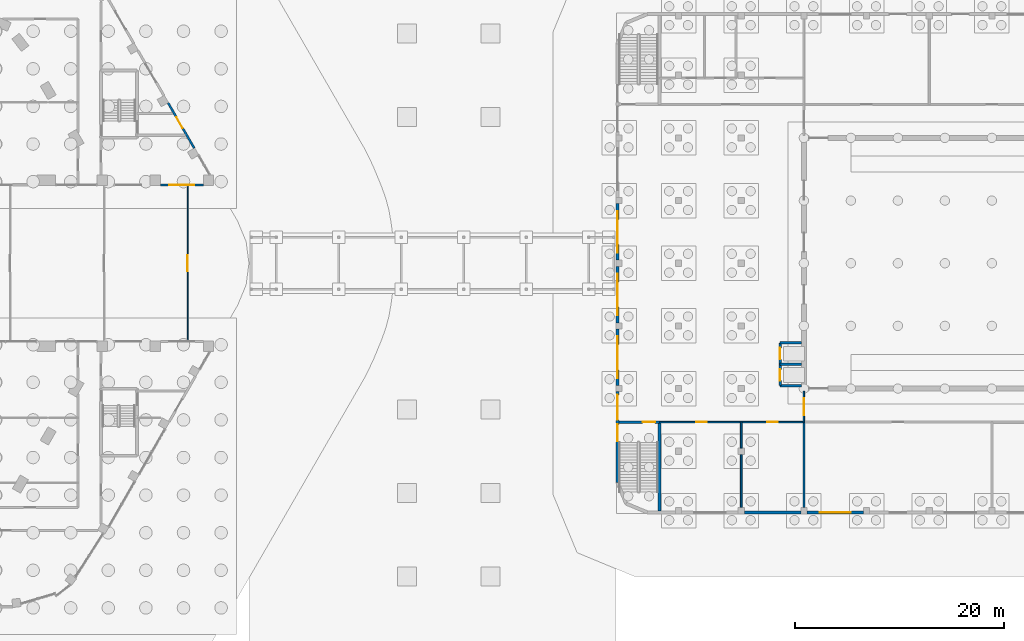
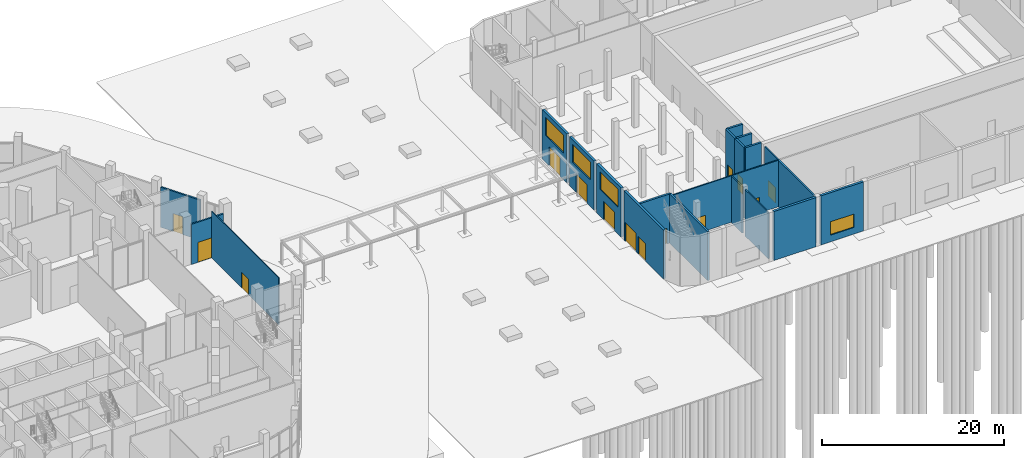
# One storey, part 31 of 44: 22 walls, 14 doors, 4 windows, 18 openings.
"""IFC4 building model written with IfcOpenShell, lengths in metres."""

from ifc_helpers import new_model, si_unit, direction, frame, frame_2d, origin, place, context, subcontext, project, spatial, rectangle, extrude, material, layer, layer_set, type_object, element, fill, save


model = new_model("IFC4")

# Units and contexts
model_context = context("Model", 3, precision=1e-05, world=origin(), true_north=direction((0.0, 1.0)))
body_context = subcontext(model_context, "Body", "Model", "MODEL_VIEW")
ifc_project = project(units=[si_unit("LENGTHUNIT", "METRE"), si_unit("AREAUNIT", "SQUARE_METRE"), si_unit("VOLUMEUNIT", "CUBIC_METRE"), si_unit("PLANEANGLEUNIT", "RADIAN"), si_unit("MASSUNIT", "GRAM", prefix="KILO")], contexts=[model_context])

# Site, building, storey
site_placement = place(None, origin())
site = spatial("IfcSite", under=ifc_project, at=site_placement, CompositionType="ELEMENT")
building_placement = place(site_placement, origin())
building = spatial("IfcBuilding", under=site, at=building_placement, Name="Nakaniwa Court", CompositionType="ELEMENT")
storey_placement = place(building_placement, origin())
storey = spatial("IfcBuildingStorey", under=building, at=storey_placement, Name="L00", CompositionType="ELEMENT", Elevation=0.0)

# Wall
ifc_material_1 = material(Name="Double steel stud acoustic partition with mineral wool", Category="steel")
ifc_layer_1 = layer(ifc_material_1, 0.199951171875)
ifc_layer_set_1 = layer_set([ifc_layer_1], Name="Double steel stud acoustic partition with mineral wool")
wall_type_1 = type_object("IfcWallType", Name="Acoustic partition 200", PredefinedType="PARTITIONING", material=ifc_layer_set_1)
wall_1_placement = place(storey_placement, frame((170.0, 64.784912109375, 0.0), z_axis=(0.0, 0.0, 1.0), x_axis=(0.0, -1.0, 0.0)))
element("IfcWall", 1, at=wall_1_placement, inside=storey, type_object=wall_type_1, Name="L00 partition wall 22", PredefinedType="PARTITIONING", context=body_context, shape_type="SweptSolid", body=[
    extrude(rectangle(XDim=8.184814453125, YDim=0.199951171875, at=frame_2d((4.09228515625, 0.0))), origin(), (0.0, 0.0, 1.0), 6.25),
])

# Wall, opening, door
ifc_material_2 = material(Name="Charcoal ceramic cladding")
ifc_layer_2 = layer(ifc_material_2, 0.02, Name="Ceramic cladding")
ifc_material_3 = material(Name="Ventilated air cavity")
ifc_layer_3 = layer(ifc_material_3, 0.04, ventilated=True, Name="Ventilated cavity")
ifc_material_4 = material(Name="Mineral wool insulation")
ifc_layer_4 = layer(ifc_material_4, 0.05, Name="Insulation")
ifc_material_5 = material(Name="Cement bonded sheathing board")
ifc_layer_5 = layer(ifc_material_5, 0.012, Name="Sheathing")
ifc_material_6 = material(Name="Cold-formed galvanised stud frame with mineral wool infill")
ifc_layer_6 = layer(ifc_material_6, 0.05, Name="Stud frame")
ifc_material_7 = material(Name="Fire-rated gypsum plasterboard lining")
ifc_layer_7 = layer(ifc_material_7, 0.028, Name="Lining")
ifc_layer_set_2 = layer_set([ifc_layer_2, ifc_layer_3, ifc_layer_4, ifc_layer_5, ifc_layer_6, ifc_layer_7], Name="Charcoal ceramic faced external wall system")
wall_type_2 = type_object("IfcWallType", Name="Black ceramic faced external wall 200", PredefinedType="SOLIDWALL", material=ifc_layer_set_2)
wall_2_placement = place(storey_placement, frame((108.405029296875, 87.5, 0.0), z_axis=(0.0, 0.0, 1.0), x_axis=(1.0, 0.0, 0.0)))
wall_2 = element("IfcWall", 2, at=wall_2_placement, inside=storey, type_object=wall_type_2, Name="L00 entrance wall 38", PredefinedType="SOLIDWALL", context=body_context, shape_type="SweptSolid", body=[
    extrude(rectangle(XDim=4.094970703125, YDim=0.199951171875, at=frame_2d((2.04736328125, 0.0))), origin(), (0.0, 0.0, 1.0), 5.39990234375),
])
opening_1_placement = place(wall_2_placement, frame((0.847412109375, 0.0, 0.0)))
opening_1 = element("IfcOpeningElement", 3, at=opening_1_placement, cuts=wall_2, Name="Opening XD2.19", PredefinedType="OPENING", context=body_context, shape_type="SweptSolid", body=[
    extrude(rectangle(XDim=2.39990234375, YDim=2.699951171875, at=frame_2d((1.199951171875, 1.35009765625))), frame((0.0, 0.10986328125, 0.0), z_axis=(0.0, -1.0, 0.0), x_axis=(1.0, 0.0, 0.0)), (0.0, 0.0, 1.0), 0.219970703125),
])
ifc_material_8 = material(Name="Black powder-coated aluminium frame with dark laminated glass", Category="aluminium")
door_type_1 = type_object("IfcDoorType", Name="Residents entrance double door 2400x2700", OperationType="DOUBLE_DOOR_DOUBLE_SWING", PredefinedType="DOOR", material=ifc_material_8)
door_1_placement = place(opening_1_placement, origin())
door_1 = element("IfcDoor", 4, at=door_1_placement, inside=storey, type_object=door_type_1, Name="L00 residents entrance double door 38-0", OperationType="DOUBLE_DOOR_DOUBLE_SWING", OverallHeight=2.699951171875, OverallWidth=2.39990234375, PredefinedType="DOOR", context=body_context, shape_type="SweptSolid", body=[
    extrude(rectangle(XDim=2.39990234375, YDim=2.699951171875, at=frame_2d((1.199951171875, 1.35009765625))), frame((0.0, 0.02490234375, 0.0), z_axis=(0.0, -1.0, 0.0), x_axis=(1.0, 0.0, 0.0)), (0.0, 0.0, 1.0), 0.050048828125),
])
fill(opening_1, door_1)

wall_3_placement = place(storey_placement, frame((111.628173828125, 91.018310546875, 0.0), z_axis=(0.0, 0.0, 1.0), x_axis=(-0.499990997566, 0.86603060128, 0.0)))
wall_3 = element("IfcWall", 5, at=wall_3_placement, inside=storey, type_object=wall_type_2, Name="L00 entrance wall 40", PredefinedType="SOLIDWALL", context=body_context, shape_type="SweptSolid", body=[
    extrude(rectangle(XDim=5.01025390625, YDim=0.199951171875, at=frame_2d((2.505126953125, 0.0))), origin(), (0.0, 0.0, 1.0), 5.39990234375),
])
opening_2_placement = place(wall_3_placement, frame((2.2080078125, 0.0, 0.0)))
opening_2 = element("IfcOpeningElement", 6, at=opening_2_placement, cuts=wall_3, Name="Opening XD1.20", PredefinedType="OPENING", context=body_context, shape_type="SweptSolid", body=[
    extrude(rectangle(XDim=1.199951171875, YDim=2.39990234375, at=frame_2d((0.60009765625, 1.199951171875))), frame((0.0, 0.10986328125, 0.0), z_axis=(0.0, -1.0, 0.0), x_axis=(1.0, 0.0, 0.0)), (0.0, 0.0, 1.0), 0.219970703125),
])
door_type_2 = type_object("IfcDoorType", Name="Stair exit door 1200x2400", OperationType="SINGLE_SWING_LEFT", PredefinedType="DOOR", material=ifc_material_8)
door_2_placement = place(opening_2_placement, frame((1.199951171875, 0.0, 0.0), z_axis=(0.0, 0.0, 1.0), x_axis=(-1.0, 0.0, 0.0)))
door_2 = element("IfcDoor", 7, at=door_2_placement, inside=storey, type_object=door_type_2, Name="L00 stair exit door 40-0", OperationType="SINGLE_SWING_LEFT", OverallHeight=2.39990234375, OverallWidth=1.199951171875, PredefinedType="DOOR", context=body_context, shape_type="SweptSolid", body=[
    extrude(rectangle(XDim=1.199951171875, YDim=2.39990234375, at=frame_2d((0.60009765625, 1.199951171875))), frame((0.0, 0.02490234375, 0.0), z_axis=(0.0, -1.0, 0.0), x_axis=(1.0, 0.0, 0.0)), (0.0, 0.0, 1.0), 0.050048828125),
])
fill(opening_2, door_2)

# Wall, openings, doors
ifc_material_9 = material(Name="Concrete C50/60", Category="concrete")
ifc_layer_8 = layer(ifc_material_9, 0.300048828125)
ifc_layer_set_3 = layer_set([ifc_layer_8], Name="Concrete C50/60")
wall_type_3 = type_object("IfcWallType", Name="Fair faced concrete wall 300", PredefinedType="SOLIDWALL", material=ifc_layer_set_3)
wall_4_placement = place(storey_placement, frame((152.14990234375, 59.0, 0.0), z_axis=(0.0, 0.0, 1.0), x_axis=(0.0, 1.0, 0.0)))
wall_4 = element("IfcWall", 8, at=wall_4_placement, inside=storey, type_object=wall_type_3, Name="Facade wall L00 3", PredefinedType="SOLIDWALL", context=body_context, shape_type="SweptSolid", body=[
    extrude(rectangle(XDim=8.699951171875, YDim=0.300048828125, at=frame_2d((4.35009765625, 0.0))), origin(), (0.0, 0.0, 1.0), 6.60009765625),
])
opening_3_placement = place(wall_4_placement, frame((3.9599609375, 0.0, 0.0)))
opening_3 = element("IfcOpeningElement", 9, at=opening_3_placement, cuts=wall_4, Name="Opening HD-01", PredefinedType="OPENING", context=body_context, shape_type="SweptSolid", body=[
    extrude(rectangle(XDim=1.60009765625, YDim=2.39990234375, at=frame_2d((0.800048828125, 1.199951171875))), frame((0.0, 0.159912109375, 0.0), z_axis=(0.0, -1.0, 0.0), x_axis=(1.0, 0.0, 0.0)), (0.0, 0.0, 1.0), 0.320068359375),
])
opening_4_placement = place(wall_4_placement, frame((6.0, 0.0, 0.0)))
opening_4 = element("IfcOpeningElement", 10, at=opening_4_placement, cuts=wall_4, Name="Opening HD-02", PredefinedType="OPENING", context=body_context, shape_type="SweptSolid", body=[
    extrude(rectangle(XDim=2.39990234375, YDim=2.5, at=frame_2d((1.199951171875, 1.25))), frame((0.0, 0.159912109375, 0.0), z_axis=(0.0, -1.0, 0.0), x_axis=(1.0, 0.0, 0.0)), (0.0, 0.0, 1.0), 0.320068359375),
])
ifc_material_10 = material(Name="Black powder-coated aluminium frame with dark glass", Category="aluminium")
door_type_3 = type_object("IfcDoorType", Name="Hall entrance double door 2400x2500", OperationType="DOUBLE_DOOR_SINGLE_SWING", PredefinedType="DOOR", material=ifc_material_10)
door_3_placement = place(opening_4_placement, origin())
door_3 = element("IfcDoor", 11, at=door_3_placement, inside=storey, type_object=door_type_3, Name="Foyer entrance doors 1", OperationType="SINGLE_SWING_LEFT", OverallHeight=2.5, OverallWidth=2.39990234375, PredefinedType="DOOR", context=body_context, shape_type="SweptSolid", body=[
    extrude(rectangle(XDim=2.39990234375, YDim=2.5, at=frame_2d((1.199951171875, 1.25))), frame((0.0, 0.02490234375, 0.0), z_axis=(0.0, -1.0, 0.0), x_axis=(1.0, 0.0, 0.0)), (0.0, 0.0, 1.0), 0.050048828125),
])
fill(opening_4, door_3)
ifc_material_11 = material(Name="Insulated steel door leaf in steel frame", Category="steel")
door_type_4 = type_object("IfcDoorType", Name="Hall exit double door 1600x2400", OperationType="DOUBLE_DOOR_SINGLE_SWING", PredefinedType="DOOR", material=ifc_material_11)
door_4_placement = place(opening_3_placement, origin())
door_4 = element("IfcDoor", 12, at=door_4_placement, inside=storey, type_object=door_type_4, Name="Exit door ST-H1", OperationType="SINGLE_SWING_LEFT", OverallHeight=2.39990234375, OverallWidth=1.60009765625, PredefinedType="DOOR", context=body_context, shape_type="SweptSolid", body=[
    extrude(rectangle(XDim=1.60009765625, YDim=2.39990234375, at=frame_2d((0.800048828125, 1.199951171875))), frame((0.0, 0.02490234375, 0.0), z_axis=(0.0, -1.0, 0.0), x_axis=(1.0, 0.0, 0.0)), (0.0, 0.0, 1.0), 0.050048828125),
])
fill(opening_3, door_4)

# Wall, openings, door, window
wall_5_placement = place(storey_placement, frame((152.14990234375, 68.300048828125, 0.0), z_axis=(0.0, 0.0, 1.0), x_axis=(0.0, 1.0, 0.0)))
wall_5 = element("IfcWall", 13, at=wall_5_placement, inside=storey, type_object=wall_type_3, Name="Facade wall L00 4", PredefinedType="SOLIDWALL", context=body_context, shape_type="SweptSolid", body=[
    extrude(rectangle(XDim=5.39990234375, YDim=0.300048828125, at=frame_2d((2.699951171875, 0.0))), origin(), (0.0, 0.0, 1.0), 6.60009765625),
])
opening_5_placement = place(wall_5_placement, frame((1.5, 0.0, 0.0)))
opening_5 = element("IfcOpeningElement", 14, at=opening_5_placement, cuts=wall_5, Name="Opening HD-03", PredefinedType="OPENING", context=body_context, shape_type="SweptSolid", body=[
    extrude(rectangle(XDim=2.39990234375, YDim=2.5, at=frame_2d((1.199951171875, 1.25))), frame((0.0, 0.159912109375, 0.0), z_axis=(0.0, -1.0, 0.0), x_axis=(1.0, 0.0, 0.0)), (0.0, 0.0, 1.0), 0.320068359375),
])
opening_6_placement = place(wall_5_placement, frame((0.699951171875, 0.0, 3.60009765625)))
opening_6 = element("IfcOpeningElement", 15, at=opening_6_placement, cuts=wall_5, Name="Opening HWN-07", PredefinedType="OPENING", context=body_context, shape_type="SweptSolid", body=[
    extrude(rectangle(XDim=4.0, YDim=2.39990234375, at=frame_2d((2.0, 1.199951171875))), frame((0.0, 0.159912109375, 0.0), z_axis=(0.0, -1.0, 0.0), x_axis=(1.0, 0.0, 0.0)), (0.0, 0.0, 1.0), 0.320068359375),
])
door_5_placement = place(opening_5_placement, origin())
door_5 = element("IfcDoor", 16, at=door_5_placement, inside=storey, type_object=door_type_3, Name="Foyer entrance doors 003", OperationType="SINGLE_SWING_LEFT", OverallHeight=2.5, OverallWidth=2.39990234375, PredefinedType="DOOR", context=body_context, shape_type="SweptSolid", body=[
    extrude(rectangle(XDim=2.39990234375, YDim=2.5, at=frame_2d((1.199951171875, 1.25))), frame((0.0, 0.02490234375, 0.0), z_axis=(0.0, -1.0, 0.0), x_axis=(1.0, 0.0, 0.0)), (0.0, 0.0, 1.0), 0.050048828125),
])
fill(opening_5, door_5)
window_type_1 = type_object("IfcWindowType", Name="Hall foyer high light 4000x2400", PartitioningType="DOUBLE_PANEL_VERTICAL", PredefinedType="WINDOW", material=ifc_material_10)
window_1_placement = place(opening_6_placement, origin())
window_1 = element("IfcWindow", 17, at=window_1_placement, inside=storey, type_object=window_type_1, Name="Foyer high light 003", OverallHeight=2.39990234375, OverallWidth=4.0, PartitioningType="SINGLE_PANEL", PredefinedType="WINDOW", context=body_context, shape_type="SweptSolid", body=[
    extrude(rectangle(XDim=4.0, YDim=2.39990234375, at=frame_2d((2.0, 1.199951171875))), frame((0.0, 0.030029296875, 0.0), z_axis=(0.0, -1.0, 0.0), x_axis=(1.0, 0.0, 0.0)), (0.0, 0.0, 1.0), 0.06005859375),
])
fill(opening_6, window_1)

wall_6_placement = place(storey_placement, frame((152.14990234375, 74.300048828125, 0.0), z_axis=(0.0, 0.0, 1.0), x_axis=(0.0, 1.0, 0.0)))
wall_6 = element("IfcWall", 18, at=wall_6_placement, inside=storey, type_object=wall_type_3, Name="Facade wall L00 5", PredefinedType="SOLIDWALL", context=body_context, shape_type="SweptSolid", body=[
    extrude(rectangle(XDim=5.39990234375, YDim=0.300048828125, at=frame_2d((2.699951171875, 0.0))), origin(), (0.0, 0.0, 1.0), 6.60009765625),
])
opening_7_placement = place(wall_6_placement, frame((1.5, 0.0, 0.0)))
opening_7 = element("IfcOpeningElement", 19, at=opening_7_placement, cuts=wall_6, Name="Opening HD-04", PredefinedType="OPENING", context=body_context, shape_type="SweptSolid", body=[
    extrude(rectangle(XDim=2.39990234375, YDim=2.5, at=frame_2d((1.199951171875, 1.25))), frame((0.0, 0.159912109375, 0.0), z_axis=(0.0, -1.0, 0.0), x_axis=(1.0, 0.0, 0.0)), (0.0, 0.0, 1.0), 0.320068359375),
])
opening_8_placement = place(wall_6_placement, frame((0.699951171875, 0.0, 3.60009765625)))
opening_8 = element("IfcOpeningElement", 20, at=opening_8_placement, cuts=wall_6, Name="Opening HWN-08", PredefinedType="OPENING", context=body_context, shape_type="SweptSolid", body=[
    extrude(rectangle(XDim=4.0, YDim=2.39990234375, at=frame_2d((2.0, 1.199951171875))), frame((0.0, 0.159912109375, 0.0), z_axis=(0.0, -1.0, 0.0), x_axis=(1.0, 0.0, 0.0)), (0.0, 0.0, 1.0), 0.320068359375),
])
door_6_placement = place(opening_7_placement, origin())
door_6 = element("IfcDoor", 21, at=door_6_placement, inside=storey, type_object=door_type_3, Name="Foyer entrance doors 004", OperationType="SINGLE_SWING_LEFT", OverallHeight=2.5, OverallWidth=2.39990234375, PredefinedType="DOOR", context=body_context, shape_type="SweptSolid", body=[
    extrude(rectangle(XDim=2.39990234375, YDim=2.5, at=frame_2d((1.199951171875, 1.25))), frame((0.0, 0.02490234375, 0.0), z_axis=(0.0, -1.0, 0.0), x_axis=(1.0, 0.0, 0.0)), (0.0, 0.0, 1.0), 0.050048828125),
])
fill(opening_7, door_6)
window_2_placement = place(opening_8_placement, origin())
window_2 = element("IfcWindow", 22, at=window_2_placement, inside=storey, type_object=window_type_1, Name="Foyer high light 004", OverallHeight=2.39990234375, OverallWidth=4.0, PartitioningType="SINGLE_PANEL", PredefinedType="WINDOW", context=body_context, shape_type="SweptSolid", body=[
    extrude(rectangle(XDim=4.0, YDim=2.39990234375, at=frame_2d((2.0, 1.199951171875))), frame((0.0, 0.030029296875, 0.0), z_axis=(0.0, -1.0, 0.0), x_axis=(1.0, 0.0, 0.0)), (0.0, 0.0, 1.0), 0.06005859375),
])
fill(opening_8, window_2)

wall_7_placement = place(storey_placement, frame((152.14990234375, 80.300048828125, 0.0), z_axis=(0.0, 0.0, 1.0), x_axis=(0.0, 1.0, 0.0)))
wall_7 = element("IfcWall", 23, at=wall_7_placement, inside=storey, type_object=wall_type_3, Name="Facade wall L00 6", PredefinedType="SOLIDWALL", context=body_context, shape_type="SweptSolid", body=[
    extrude(rectangle(XDim=5.39990234375, YDim=0.300048828125, at=frame_2d((2.699951171875, 0.0))), origin(), (0.0, 0.0, 1.0), 6.60009765625),
])
opening_9_placement = place(wall_7_placement, frame((1.5, 0.0, 0.0)))
opening_9 = element("IfcOpeningElement", 24, at=opening_9_placement, cuts=wall_7, Name="Opening HD-05", PredefinedType="OPENING", context=body_context, shape_type="SweptSolid", body=[
    extrude(rectangle(XDim=2.39990234375, YDim=2.5, at=frame_2d((1.199951171875, 1.25))), frame((0.0, 0.159912109375, 0.0), z_axis=(0.0, -1.0, 0.0), x_axis=(1.0, 0.0, 0.0)), (0.0, 0.0, 1.0), 0.320068359375),
])
opening_10_placement = place(wall_7_placement, frame((0.699951171875, 0.0, 3.60009765625)))
opening_10 = element("IfcOpeningElement", 25, at=opening_10_placement, cuts=wall_7, Name="Opening HWN-09", PredefinedType="OPENING", context=body_context, shape_type="SweptSolid", body=[
    extrude(rectangle(XDim=4.0, YDim=2.39990234375, at=frame_2d((2.0, 1.199951171875))), frame((0.0, 0.159912109375, 0.0), z_axis=(0.0, -1.0, 0.0), x_axis=(1.0, 0.0, 0.0)), (0.0, 0.0, 1.0), 0.320068359375),
])
door_7_placement = place(opening_9_placement, origin())
door_7 = element("IfcDoor", 26, at=door_7_placement, inside=storey, type_object=door_type_3, Name="Foyer entrance doors 005", OperationType="SINGLE_SWING_LEFT", OverallHeight=2.5, OverallWidth=2.39990234375, PredefinedType="DOOR", context=body_context, shape_type="SweptSolid", body=[
    extrude(rectangle(XDim=2.39990234375, YDim=2.5, at=frame_2d((1.199951171875, 1.25))), frame((0.0, 0.02490234375, 0.0), z_axis=(0.0, -1.0, 0.0), x_axis=(1.0, 0.0, 0.0)), (0.0, 0.0, 1.0), 0.050048828125),
])
fill(opening_9, door_7)
window_3_placement = place(opening_10_placement, origin())
window_3 = element("IfcWindow", 27, at=window_3_placement, inside=storey, type_object=window_type_1, Name="Foyer high light 005", OverallHeight=2.39990234375, OverallWidth=4.0, PartitioningType="SINGLE_PANEL", PredefinedType="WINDOW", context=body_context, shape_type="SweptSolid", body=[
    extrude(rectangle(XDim=4.0, YDim=2.39990234375, at=frame_2d((2.0, 1.199951171875))), frame((0.0, 0.030029296875, 0.0), z_axis=(0.0, -1.0, 0.0), x_axis=(1.0, 0.0, 0.0)), (0.0, 0.0, 1.0), 0.06005859375),
])
fill(opening_10, window_3)

# Wall, opening, window
wall_8_placement = place(storey_placement, frame((175.699951171875, 56.14990234375, 0.0), z_axis=(0.0, 0.0, 1.0), x_axis=(-1.0, 0.0, 0.0)))
wall_8 = element("IfcWall", 28, at=wall_8_placement, inside=storey, type_object=wall_type_3, Name="Facade wall L00 39", PredefinedType="SOLIDWALL", context=body_context, shape_type="SweptSolid", body=[
    extrude(rectangle(XDim=5.39990234375, YDim=0.300048828125, at=frame_2d((2.699951171875, 0.0))), origin(), (0.0, 0.0, 1.0), 6.60009765625),
])
opening_11_placement = place(wall_8_placement, frame((1.199951171875, 0.0, 0.89990234375)))
opening_11 = element("IfcOpeningElement", 29, at=opening_11_placement, cuts=wall_8, Name="Opening HWN-16", PredefinedType="OPENING", context=body_context, shape_type="SweptSolid", body=[
    extrude(rectangle(XDim=3.0, YDim=1.800048828125, at=frame_2d((1.5, 0.89990234375))), frame((0.0, 0.159912109375, 0.0), z_axis=(0.0, -1.0, 0.0), x_axis=(1.0, 0.0, 0.0)), (0.0, 0.0, 1.0), 0.320068359375),
])
window_type_2 = type_object("IfcWindowType", Name="Hall window 3000x1800", PartitioningType="SINGLE_PANEL", PredefinedType="WINDOW", material=ifc_material_10)
window_4_placement = place(opening_11_placement, origin())
window_4 = element("IfcWindow", 30, at=window_4_placement, inside=storey, type_object=window_type_2, Name="Window L00:038", OverallHeight=1.800048828125, OverallWidth=3.0, PartitioningType="SINGLE_PANEL", PredefinedType="WINDOW", context=body_context, shape_type="SweptSolid", body=[
    extrude(rectangle(XDim=3.0, YDim=1.800048828125, at=frame_2d((1.5, 0.89990234375))), frame((0.0, 0.030029296875, 0.0), z_axis=(0.0, -1.0, 0.0), x_axis=(1.0, 0.0, 0.0)), (0.0, 0.0, 1.0), 0.06005859375),
])
fill(opening_11, window_4)

# Wall
wall_9_placement = place(storey_placement, frame((169.699951171875, 56.14990234375, 0.0), z_axis=(0.0, 0.0, 1.0), x_axis=(-1.0, 0.0, 0.0)))
element("IfcWall", 31, at=wall_9_placement, inside=storey, type_object=wall_type_3, Name="Facade wall L00 40", PredefinedType="SOLIDWALL", context=body_context, shape_type="SweptSolid", body=[
    extrude(rectangle(XDim=5.39990234375, YDim=0.300048828125, at=frame_2d((2.699951171875, 0.0))), origin(), (0.0, 0.0, 1.0), 6.60009765625),
])

# Wall, opening, door
ifc_material_12 = material(Name="Concrete C40/50", Category="concrete")
ifc_layer_9 = layer(ifc_material_12, 0.25)
ifc_layer_set_4 = layer_set([ifc_layer_9], Name="Concrete C40/50")
wall_type_4 = type_object("IfcWallType", Name="Fire isolated shaft wall RC 250", PredefinedType="SOLIDWALL", material=ifc_layer_set_4)
wall_10_placement = place(storey_placement, frame((156.175048828125, 64.784912109375, 0.0), z_axis=(0.0, 0.0, 1.0), x_axis=(-1.0, 0.0, 0.0)))
wall_10 = element("IfcWall", 32, at=wall_10_placement, inside=storey, type_object=wall_type_4, Name="L00 shaft wall 1", PredefinedType="SOLIDWALL", context=body_context, shape_type="SweptSolid", body=[
    extrude(rectangle(XDim=3.875, YDim=0.25, at=frame_2d((1.9375, 0.0))), origin(), (0.0, 0.0, 1.0), 6.60009765625),
])
opening_12_placement = place(wall_10_placement, frame((0.425048828125, 0.0, 0.0)))
opening_12 = element("IfcOpeningElement", 33, at=opening_12_placement, cuts=wall_10, Name="Opening HD-17", PredefinedType="OPENING", context=body_context, shape_type="SweptSolid", body=[
    extrude(rectangle(XDim=1.199951171875, YDim=2.10009765625, at=frame_2d((0.60009765625, 1.050048828125))), frame((0.0, 0.135009765625, 0.0), z_axis=(0.0, -1.0, 0.0), x_axis=(1.0, 0.0, 0.0)), (0.0, 0.0, 1.0), 0.27001953125),
])
door_type_5 = type_object("IfcDoorType", Name="Hall stair door 1200x2100", OperationType="SINGLE_SWING_LEFT", PredefinedType="DOOR", material=ifc_material_11)
door_8_placement = place(opening_12_placement, origin())
door_8 = element("IfcDoor", 34, at=door_8_placement, inside=storey, type_object=door_type_5, Name="L00 door Exit-stair-H1", OperationType="SINGLE_SWING_LEFT", OverallHeight=2.10009765625, OverallWidth=1.199951171875, PredefinedType="DOOR", context=body_context, shape_type="SweptSolid", body=[
    extrude(rectangle(XDim=1.199951171875, YDim=2.10009765625, at=frame_2d((0.60009765625, 1.050048828125))), frame((0.0, 0.02490234375, 0.0), z_axis=(0.0, -1.0, 0.0), x_axis=(1.0, 0.0, 0.0)), (0.0, 0.0, 1.0), 0.050048828125),
])
fill(opening_12, door_8)

# Walls
wall_11_placement = place(storey_placement, frame((156.175048828125, 64.784912109375, 0.0), z_axis=(0.0, 0.0, 1.0), x_axis=(0.0, -1.0, 0.0)))
element("IfcWall", 35, at=wall_11_placement, inside=storey, type_object=wall_type_4, Name="L00 shaft wall 3", PredefinedType="SOLIDWALL", context=body_context, shape_type="SweptSolid", body=[
    extrude(rectangle(XDim=8.48486328125, YDim=0.25, at=frame_2d((4.242431640625, 0.0))), origin(), (0.0, 0.0, 1.0), 6.60009765625),
])
for number, where, z_axis, x_axis, name in (
    (36, (167.72509765625, 70.324951171875, 0.0), (0.0, 0.0, 1.0), (1.0, 0.0, 0.0), "L00 shaft wall 17"),
    (37, (169.75, 72.375, 0.0), (0.0, 0.0, 1.0), (-1.0, 0.0, 0.0), "L00 shaft wall 18"),
):
    element("IfcWall", number, at=place(storey_placement, frame(where, z_axis=z_axis, x_axis=x_axis)), inside=storey, type_object=wall_type_4, Name=name, PredefinedType="SOLIDWALL", context=body_context, shape_type="SweptSolid", body=[
        extrude(rectangle(XDim=2.02490234375, YDim=0.25, at=frame_2d((1.012451171875, 0.0))), origin(), (0.0, 0.0, 1.0), 6.60009765625),
    ])

# Wall, opening, door
wall_12_placement = place(storey_placement, frame((167.72509765625, 72.375, 0.0), z_axis=(0.0, 0.0, 1.0), x_axis=(0.0, -1.0, 0.0)))
wall_12 = element("IfcWall", 38, at=wall_12_placement, inside=storey, type_object=wall_type_4, Name="L00 shaft wall 19", PredefinedType="SOLIDWALL", context=body_context, shape_type="SweptSolid", body=[
    extrude(rectangle(XDim=2.050048828125, YDim=0.25, at=frame_2d((1.02490234375, 0.0))), origin(), (0.0, 0.0, 1.0), 6.60009765625),
])
opening_13_placement = place(wall_12_placement, frame((0.47509765625, 0.0, 0.0)))
opening_13 = element("IfcOpeningElement", 39, at=opening_13_placement, cuts=wall_12, Name="Opening LD-01", PredefinedType="OPENING", context=body_context, shape_type="SweptSolid", body=[
    extrude(rectangle(XDim=1.10009765625, YDim=2.10009765625, at=frame_2d((0.550048828125, 1.050048828125))), frame((0.0, 0.135009765625, 0.0), z_axis=(0.0, -1.0, 0.0), x_axis=(1.0, 0.0, 0.0)), (0.0, 0.0, 1.0), 0.27001953125),
])
ifc_material_13 = material(Name="Brushed stainless steel sliding landing door", Category="steel")
door_type_6 = type_object("IfcDoorType", Name="Hall lift landing door 1100x2100", OperationType="SLIDING_TO_LEFT", PredefinedType="DOOR", material=ifc_material_13)
door_9_placement = place(opening_13_placement, origin())
door_9 = element("IfcDoor", 40, at=door_9_placement, inside=storey, type_object=door_type_6, Name="L00 lift landing door HL2", OperationType="SLIDING_TO_LEFT", OverallHeight=2.10009765625, OverallWidth=1.10009765625, PredefinedType="DOOR", context=body_context, shape_type="SweptSolid", body=[
    extrude(rectangle(XDim=1.10009765625, YDim=2.10009765625, at=frame_2d((0.550048828125, 1.050048828125))), frame((0.0, 0.02490234375, 0.0), z_axis=(0.0, -1.0, 0.0), x_axis=(1.0, 0.0, 0.0)), (0.0, 0.0, 1.0), 0.050048828125),
])
fill(opening_13, door_9)

wall_13_placement = place(storey_placement, frame((167.72509765625, 70.324951171875, 0.0), z_axis=(0.0, 0.0, 1.0), x_axis=(0.0, -1.0, 0.0)))
wall_13 = element("IfcWall", 41, at=wall_13_placement, inside=storey, type_object=wall_type_4, Name="L00 shaft wall 20", PredefinedType="SOLIDWALL", context=body_context, shape_type="SweptSolid", body=[
    extrude(rectangle(XDim=2.050048828125, YDim=0.25, at=frame_2d((1.02490234375, 0.0))), origin(), (0.0, 0.0, 1.0), 6.60009765625),
])
opening_14_placement = place(wall_13_placement, frame((0.47509765625, 0.0, 0.0)))
opening_14 = element("IfcOpeningElement", 42, at=opening_14_placement, cuts=wall_13, Name="Opening LD-02", PredefinedType="OPENING", context=body_context, shape_type="SweptSolid", body=[
    extrude(rectangle(XDim=1.10009765625, YDim=2.10009765625, at=frame_2d((0.550048828125, 1.050048828125))), frame((0.0, 0.135009765625, 0.0), z_axis=(0.0, -1.0, 0.0), x_axis=(1.0, 0.0, 0.0)), (0.0, 0.0, 1.0), 0.27001953125),
])
door_10_placement = place(opening_14_placement, origin())
door_10 = element("IfcDoor", 43, at=door_10_placement, inside=storey, type_object=door_type_6, Name="L00 lift landing door HL1", OperationType="SLIDING_TO_LEFT", OverallHeight=2.10009765625, OverallWidth=1.10009765625, PredefinedType="DOOR", context=body_context, shape_type="SweptSolid", body=[
    extrude(rectangle(XDim=1.10009765625, YDim=2.10009765625, at=frame_2d((0.550048828125, 1.050048828125))), frame((0.0, 0.02490234375, 0.0), z_axis=(0.0, -1.0, 0.0), x_axis=(1.0, 0.0, 0.0)), (0.0, 0.0, 1.0), 0.050048828125),
])
fill(opening_14, door_10)

# Wall
wall_14_placement = place(storey_placement, frame((167.72509765625, 68.27490234375, 0.0), z_axis=(0.0, 0.0, 1.0), x_axis=(1.0, 0.0, 0.0)))
element("IfcWall", 44, at=wall_14_placement, inside=storey, type_object=wall_type_4, Name="L00 shaft wall 21", PredefinedType="SOLIDWALL", context=body_context, shape_type="SweptSolid", body=[
    extrude(rectangle(XDim=2.02490234375, YDim=0.25, at=frame_2d((1.012451171875, 0.0))), origin(), (0.0, 0.0, 1.0), 6.60009765625),
])

# Wall, opening, door
ifc_material_14 = material(Name="Steel stud plasterboard partition", Category="steel")
ifc_layer_10 = layer(ifc_material_14, 0.14990234375)
ifc_layer_set_5 = layer_set([ifc_layer_10], Name="Steel stud plasterboard partition")
wall_type_5 = type_object("IfcWallType", Name="Partition 150", PredefinedType="PARTITIONING", material=ifc_layer_set_5)
wall_15_placement = place(storey_placement, frame((164.0, 64.784912109375, 0.0), z_axis=(0.0, 0.0, 1.0), x_axis=(-1.0, 0.0, 0.0)))
wall_15 = element("IfcWall", 45, at=wall_15_placement, inside=storey, type_object=wall_type_5, Name="L00 partition wall 4", PredefinedType="PARTITIONING", context=body_context, shape_type="SweptSolid", body=[
    extrude(rectangle(XDim=7.824951171875, YDim=0.14990234375, at=frame_2d((3.91259765625, 0.0))), origin(), (0.0, 0.0, 1.0), 6.25),
])
opening_15_placement = place(wall_15_placement, frame((3.324951171875, 0.0, 0.0)))
opening_15 = element("IfcOpeningElement", 46, at=opening_15_placement, cuts=wall_15, Name="Opening HD-19", PredefinedType="OPENING", context=body_context, shape_type="SweptSolid", body=[
    extrude(rectangle(XDim=1.0, YDim=2.10009765625, at=frame_2d((0.5, 1.050048828125))), frame((0.0, 0.0849609375, 0.0), z_axis=(0.0, -1.0, 0.0), x_axis=(1.0, 0.0, 0.0)), (0.0, 0.0, 1.0), 0.169921875),
])
ifc_material_15 = material(Name="Solid-core timber door leaf in steel frame", Category="steel")
door_type_7 = type_object("IfcDoorType", Name="Hall door 1000x2100", OperationType="SINGLE_SWING_LEFT", PredefinedType="DOOR", material=ifc_material_15)
door_11_placement = place(opening_15_placement, origin())
door_11 = element("IfcDoor", 47, at=door_11_placement, inside=storey, type_object=door_type_7, Name="L00 door Box-office", OperationType="SINGLE_SWING_RIGHT", OverallHeight=2.10009765625, OverallWidth=1.0, PredefinedType="DOOR", context=body_context, shape_type="SweptSolid", body=[
    extrude(rectangle(XDim=1.0, YDim=2.10009765625, at=frame_2d((0.5, 1.050048828125))), frame((0.0, 0.02490234375, 0.0), z_axis=(0.0, -1.0, 0.0), x_axis=(1.0, 0.0, 0.0)), (0.0, 0.0, 1.0), 0.050048828125),
])
fill(opening_15, door_11)

# Walls
wall_16_placement = place(storey_placement, frame((164.0, 64.784912109375, 0.0), z_axis=(0.0, 0.0, 1.0), x_axis=(0.0, -1.0, 0.0)))
element("IfcWall", 48, at=wall_16_placement, inside=storey, type_object=wall_type_5, Name="L00 partition wall 14", PredefinedType="PARTITIONING", context=body_context, shape_type="SweptSolid", body=[
    extrude(rectangle(XDim=2.48486328125, YDim=0.14990234375, at=frame_2d((1.242431640625, 0.0))), origin(), (0.0, 0.0, 1.0), 6.25),
])
wall_17_placement = place(storey_placement, frame((164.0, 61.699951171875, 0.0), z_axis=(0.0, 0.0, 1.0), x_axis=(0.0, -1.0, 0.0)))
element("IfcWall", 49, at=wall_17_placement, inside=storey, type_object=wall_type_5, Name="L00 partition wall 15", PredefinedType="PARTITIONING", context=body_context, shape_type="SweptSolid", body=[
    extrude(rectangle(XDim=5.099853515625, YDim=0.14990234375, at=frame_2d((2.5498046875, 0.0))), origin(), (0.0, 0.0, 1.0), 6.25),
])

# Wall, opening, door
wall_18_placement = place(storey_placement, frame((170.0, 64.784912109375, 0.0), z_axis=(0.0, 0.0, 1.0), x_axis=(-1.0, 0.0, 0.0)))
wall_18 = element("IfcWall", 50, at=wall_18_placement, inside=storey, type_object=wall_type_5, Name="L00 partition wall 16", PredefinedType="PARTITIONING", context=body_context, shape_type="SweptSolid", body=[
    extrude(rectangle(XDim=6.0, YDim=0.14990234375, at=frame_2d((3.0, 0.0))), origin(), (0.0, 0.0, 1.0), 6.25),
])
opening_16_placement = place(wall_18_placement, frame((2.5, 0.0, 0.0)))
opening_16 = element("IfcOpeningElement", 51, at=opening_16_placement, cuts=wall_18, Name="Opening HD-24", PredefinedType="OPENING", context=body_context, shape_type="SweptSolid", body=[
    extrude(rectangle(XDim=1.0, YDim=2.10009765625, at=frame_2d((0.5, 1.050048828125))), frame((0.0, 0.0849609375, 0.0), z_axis=(0.0, -1.0, 0.0), x_axis=(1.0, 0.0, 0.0)), (0.0, 0.0, 1.0), 0.169921875),
])
door_12_placement = place(opening_16_placement, origin())
door_12 = element("IfcDoor", 52, at=door_12_placement, inside=storey, type_object=door_type_7, Name="L00 door Cloakroom", OperationType="SINGLE_SWING_LEFT", OverallHeight=2.10009765625, OverallWidth=1.0, PredefinedType="DOOR", context=body_context, shape_type="SweptSolid", body=[
    extrude(rectangle(XDim=1.0, YDim=2.10009765625, at=frame_2d((0.5, 1.050048828125))), frame((0.0, 0.02490234375, 0.0), z_axis=(0.0, -1.0, 0.0), x_axis=(1.0, 0.0, 0.0)), (0.0, 0.0, 1.0), 0.050048828125),
])
fill(opening_16, door_12)

wall_19_placement = place(storey_placement, frame((170.0, 67.75, 0.0), z_axis=(0.0, 0.0, 1.0), x_axis=(0.0, -1.0, 0.0)))
wall_19 = element("IfcWall", 53, at=wall_19_placement, inside=storey, type_object=wall_type_5, Name="L00 partition wall 24", PredefinedType="PARTITIONING", context=body_context, shape_type="SweptSolid", body=[
    extrude(rectangle(XDim=2.965087890625, YDim=0.14990234375, at=frame_2d((1.482421875, 0.0))), origin(), (0.0, 0.0, 1.0), 6.25),
])
opening_17_placement = place(wall_19_placement, frame((0.6826171875, 0.0, 0.0)))
opening_17 = element("IfcOpeningElement", 54, at=opening_17_placement, cuts=wall_19, Name="Opening HD-26", PredefinedType="OPENING", context=body_context, shape_type="SweptSolid", body=[
    extrude(rectangle(XDim=1.60009765625, YDim=2.10009765625, at=frame_2d((0.800048828125, 1.050048828125))), frame((0.0, 0.0849609375, 0.0), z_axis=(0.0, -1.0, 0.0), x_axis=(1.0, 0.0, 0.0)), (0.0, 0.0, 1.0), 0.169921875),
])
door_type_8 = type_object("IfcDoorType", Name="Hall corridor double door 1600x2100", OperationType="DOUBLE_DOOR_SINGLE_SWING", PredefinedType="DOOR", material=ifc_material_15)
door_13_placement = place(opening_17_placement, origin())
door_13 = element("IfcDoor", 55, at=door_13_placement, inside=storey, type_object=door_type_8, Name="L00 door foyer-corridor-1", OperationType="DOUBLE_DOOR_SINGLE_SWING", OverallHeight=2.10009765625, OverallWidth=1.60009765625, PredefinedType="DOOR", context=body_context, shape_type="SweptSolid", body=[
    extrude(rectangle(XDim=1.60009765625, YDim=2.10009765625, at=frame_2d((0.800048828125, 1.050048828125))), frame((0.0, 0.02490234375, 0.0), z_axis=(0.0, -1.0, 0.0), x_axis=(1.0, 0.0, 0.0)), (0.0, 0.0, 1.0), 0.050048828125),
])
fill(opening_17, door_13)

ifc_material_16 = material(Name="Single stud plasterboard partition")
ifc_layer_11 = layer(ifc_material_16, 0.10009765625)
ifc_layer_set_6 = layer_set([ifc_layer_11], Name="Single stud plasterboard partition")
wall_type_6 = type_object("IfcWallType", Name="Single stud plasterboard partition 100", PredefinedType="PARTITIONING", material=ifc_layer_set_6)
wall_20_placement = place(storey_placement, frame((111.0, 87.39990234375, 0.0), z_axis=(0.0, 0.0, 1.0), x_axis=(0.0, -1.0, 0.0)))
wall_20 = element("IfcWall", 56, at=wall_20_placement, inside=storey, type_object=wall_type_6, Name="Partition PW-168", PredefinedType="PARTITIONING", context=body_context, shape_type="SweptSolid", body=[
    extrude(rectangle(XDim=14.7998046875, YDim=0.10009765625, at=frame_2d((7.39990234375, 0.0))), origin(), (0.0, 0.0, 1.0), 6.300048828125),
])
opening_18_placement = place(wall_20_placement, frame((6.64990234375, 0.0, 0.0)))
opening_18 = element("IfcOpeningElement", 57, at=opening_18_placement, cuts=wall_20, Name="Opening D-12-05", PredefinedType="OPENING", context=body_context, shape_type="SweptSolid", body=[
    extrude(rectangle(XDim=1.5, YDim=2.10009765625, at=frame_2d((0.75, 1.050048828125))), frame((0.0, 0.06005859375, 0.0), z_axis=(0.0, -1.0, 0.0), x_axis=(1.0, 0.0, 0.0)), (0.0, 0.0, 1.0), 0.1201171875),
])
ifc_material_17 = material(Name="Glazed timber double door set", Category="wood")
door_type_9 = type_object("IfcDoorType", Name="Double door 1500", OperationType="NOTDEFINED", PredefinedType="DOOR", material=ifc_material_17)
door_14_placement = place(opening_18_placement, origin())
door_14 = element("IfcDoor", 58, at=door_14_placement, inside=storey, type_object=door_type_9, Name="Door D-12-05 L00-067", OperationType="DOUBLE_DOOR_SINGLE_SWING", OverallHeight=2.10009765625, OverallWidth=1.5, PredefinedType="DOOR", context=body_context, shape_type="SweptSolid", body=[
    extrude(rectangle(XDim=1.5, YDim=2.10009765625, at=frame_2d((0.75, 1.050048828125))), frame((0.0, 0.02490234375, 0.0), z_axis=(0.0, -1.0, 0.0), x_axis=(1.0, 0.0, 0.0)), (0.0, 0.0, 1.0), 0.050048828125),
])
fill(opening_18, door_14)

save(model, "model.ifc")
